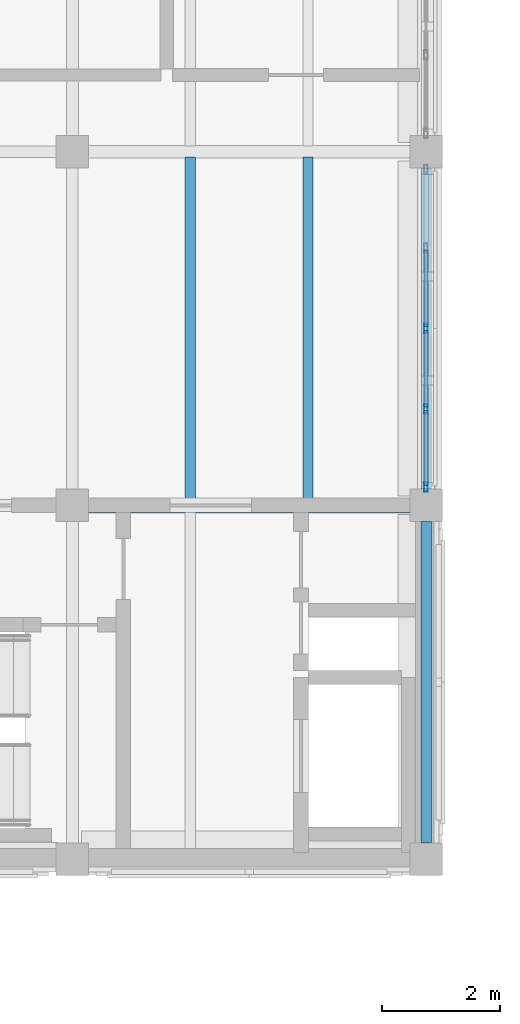
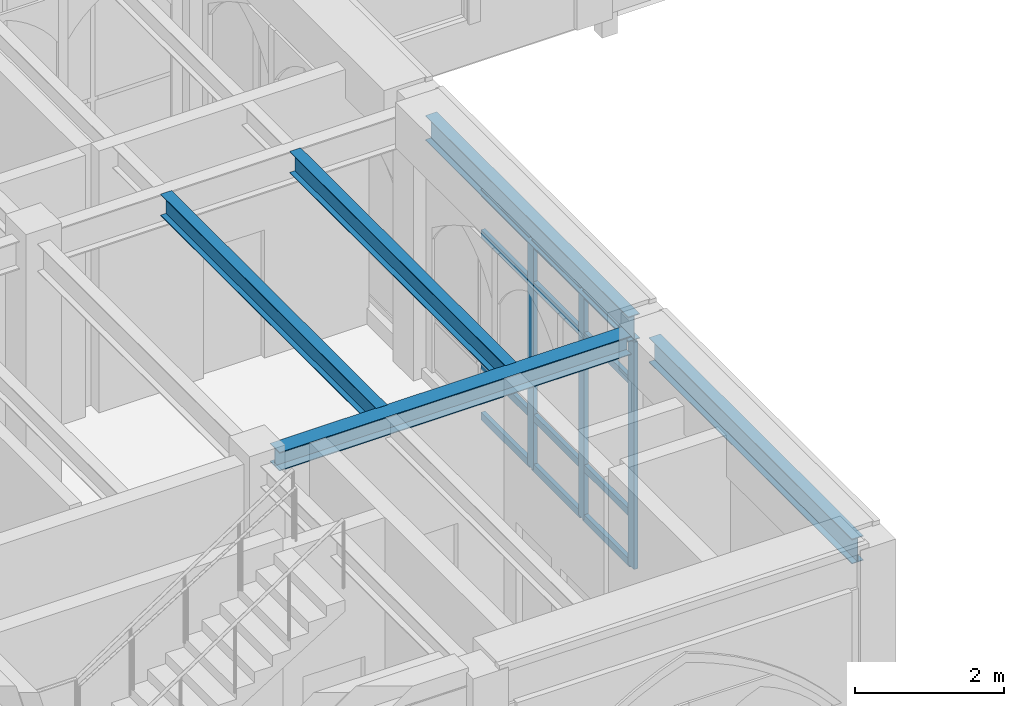
# One storey, part 9 of 108: 15 members, 5 beams, 1 element without a shape of its own.
"""IFC4 building model written with IfcOpenShell, lengths in metres."""

from ifc_helpers import new_model, si_unit, direction, frame, origin, origin_2d, place, context, subcontext, project, spatial, hollow_rectangle, i_section, extrude, material, layer, layer_set, material_profile, profile_set, type_object, element, aggregate, save


model = new_model("IFC4")

# Units and contexts
model_context = context("Model", 3, precision=1e-05, world=origin(), true_north=direction((0.0, 1.0)))
body_context = subcontext(model_context, "Body", "Model", "MODEL_VIEW")
ifc_project = project(units=[si_unit("LENGTHUNIT", "METRE"), si_unit("AREAUNIT", "SQUARE_METRE"), si_unit("VOLUMEUNIT", "CUBIC_METRE"), si_unit("PLANEANGLEUNIT", "RADIAN"), si_unit("MASSUNIT", "GRAM", prefix="KILO")], contexts=[model_context])

# Site, building, storey
site_placement = place(None, origin())
site = spatial("IfcSite", under=ifc_project, at=site_placement, CompositionType="ELEMENT")
building_placement = place(site_placement, origin())
building = spatial("IfcBuilding", under=site, at=building_placement, Name="Cumevento Cable Car Station", CompositionType="ELEMENT")
storey_placement = place(building_placement, frame((0.0, 0.0, 13.5)))
storey = spatial("IfcBuildingStorey", under=building, at=storey_placement, Name="L04", CompositionType="ELEMENT", Elevation=13.5)

# Curtain wall, members
ifc_material_1 = material(Name="Anodised Bronze Aluminium AW-6063-T6", Category="aluminium")
ifc_layer = layer(ifc_material_1, 0.2080078125)
ifc_layer_set = layer_set([ifc_layer], Name="Anodised Bronze Aluminium AW-6063-T6")
curtain_wall_type = type_object("IfcCurtainWallType", Name="Lancet Curtain Wall CW-09 1370", PredefinedType="NOTDEFINED", material=ifc_layer_set)
curtain_wall_placement = place(storey_placement, origin())
curtain_wall = element("IfcCurtainWall", 1, at=curtain_wall_placement, inside=storey, type_object=curtain_wall_type, Name="Lancet Curtain Wall CW-09 L04 #152", PredefinedType="NOTDEFINED")
ifc_material_2 = material(Name="Anodised Bronze Aluminium AW-6063-T6", Category="aluminium")
ifc_material_profile_1 = material_profile(ifc_material_2, hollow_rectangle(XDim=0.06494140625, YDim=0.159912109375, WallThickness=0.00390625, at=origin_2d()), Name="ALUM65x160x4")
ifc_profile_set_1 = profile_set([ifc_material_profile_1], Name="Anodised Bronze Aluminium AW-6063-T6")
member_type_1 = type_object("IfcMemberType", Name="Curtain Mullion CWM-01 ALUM65x160x4", PredefinedType="MULLION", material=ifc_profile_set_1)
member_1_placement = place(storey_placement, frame((22.0, 36.0, 0.159912109375), z_axis=(0.0, 0.0, 1.0), x_axis=(1.0, 0.0, 0.0)))
member_1 = element("IfcMember", 2, at=member_1_placement, type_object=member_type_1, Name="CW-09 mullion 3", PredefinedType="MULLION", context=body_context, shape_type="SweptSolid", body=[
    extrude(hollow_rectangle(XDim=0.06494140625, YDim=0.159912109375, WallThickness=0.00390625, at=origin_2d()), origin(), (0.0, 0.0, 1.0), 3.72119140625),
])
member_2_placement = place(storey_placement, frame((22.0, 34.637451171875, 0.159912109375), z_axis=(0.0, 0.0, 1.0), x_axis=(1.0, 0.0, 0.0)))
member_2 = element("IfcMember", 3, at=member_2_placement, type_object=member_type_1, Name="CW-09 mullion 4", PredefinedType="MULLION", context=body_context, shape_type="SweptSolid", body=[
    extrude(hollow_rectangle(XDim=0.06494140625, YDim=0.159912109375, WallThickness=0.00390625, at=origin_2d()), origin(), (0.0, 0.0, 1.0), 3.72119140625),
])
member_3_placement = place(storey_placement, frame((22.0, 33.3076171875, 0.159912109375), z_axis=(0.0, 0.0, 1.0), x_axis=(1.0, 0.0, 0.0)))
member_3 = element("IfcMember", 4, at=member_3_placement, type_object=member_type_1, Name="CW-09 mullion 5", PredefinedType="MULLION", context=body_context, shape_type="SweptSolid", body=[
    extrude(hollow_rectangle(XDim=0.06494140625, YDim=0.159912109375, WallThickness=0.00390625, at=origin_2d()), origin(), (0.0, 0.0, 1.0), 3.72119140625),
])
ifc_material_3 = material(Name="Anodised Bronze Aluminium AW-6063-T6", Category="aluminium")
ifc_material_profile_2 = material_profile(ifc_material_3, hollow_rectangle(XDim=0.06494140625, YDim=0.1201171875, WallThickness=0.00390625, at=origin_2d()), Name="ALUT65x120x4")
ifc_profile_set_2 = profile_set([ifc_material_profile_2], Name="Anodised Bronze Aluminium AW-6063-T6")
member_type_2 = type_object("IfcMemberType", Name="Curtain Transom CWT-01 ALUT65x120x4", PredefinedType="USERDEFINED", material=ifc_profile_set_2)
member_4_placement = place(storey_placement, frame((22.0, 37.330078125, 0.1923828125), z_axis=(0.0, -1.0, 0.0), x_axis=(1.0, 0.0, 0.0)))
member_4 = element("IfcMember", 5, at=member_4_placement, type_object=member_type_2, Name="CW-09 transom 2.1", ObjectType="TRANSOM", PredefinedType="USERDEFINED", context=body_context, shape_type="SweptSolid", body=[
    extrude(hollow_rectangle(XDim=0.06494140625, YDim=0.1201171875, WallThickness=0.00390625, at=origin_2d()), origin(), (0.0, 0.0, 1.0), 1.297607421875),
])
member_5_placement = place(storey_placement, frame((22.0, 37.330078125, 1.010009765625), z_axis=(0.0, -1.0, 0.0), x_axis=(1.0, 0.0, 0.0)))
member_5 = element("IfcMember", 6, at=member_5_placement, type_object=member_type_2, Name="CW-09 transom 2.2", ObjectType="TRANSOM", PredefinedType="USERDEFINED", context=body_context, shape_type="SweptSolid", body=[
    extrude(hollow_rectangle(XDim=0.06494140625, YDim=0.1201171875, WallThickness=0.00390625, at=origin_2d()), origin(), (0.0, 0.0, 1.0), 1.297607421875),
])
member_6_placement = place(storey_placement, frame((22.0, 37.330078125, 3.180908203125), z_axis=(0.0, -1.0, 0.0), x_axis=(1.0, 0.0, 0.0)))
member_6 = element("IfcMember", 7, at=member_6_placement, type_object=member_type_2, Name="CW-09 transom 2.3", ObjectType="TRANSOM", PredefinedType="USERDEFINED", context=body_context, shape_type="SweptSolid", body=[
    extrude(hollow_rectangle(XDim=0.06494140625, YDim=0.1201171875, WallThickness=0.00390625, at=origin_2d()), origin(), (0.0, 0.0, 1.0), 1.297607421875),
])
member_7_placement = place(storey_placement, frame((22.0, 37.330078125, 3.848388671875), z_axis=(0.0, -1.0, 0.0), x_axis=(1.0, 0.0, 0.0)))
member_7 = element("IfcMember", 8, at=member_7_placement, type_object=member_type_2, Name="CW-09 transom 2.4", ObjectType="TRANSOM", PredefinedType="USERDEFINED", context=body_context, shape_type="SweptSolid", body=[
    extrude(hollow_rectangle(XDim=0.06494140625, YDim=0.1201171875, WallThickness=0.00390625, at=origin_2d()), origin(), (0.0, 0.0, 1.0), 1.297607421875),
])
member_8_placement = place(storey_placement, frame((22.0, 35.967529296875, 0.1923828125), z_axis=(0.0, -1.0, 0.0), x_axis=(1.0, 0.0, 0.0)))
member_8 = element("IfcMember", 9, at=member_8_placement, type_object=member_type_2, Name="CW-09 transom 3.1", ObjectType="TRANSOM", PredefinedType="USERDEFINED", context=body_context, shape_type="SweptSolid", body=[
    extrude(hollow_rectangle(XDim=0.06494140625, YDim=0.1201171875, WallThickness=0.00390625, at=origin_2d()), origin(), (0.0, 0.0, 1.0), 1.297607421875),
])
member_9_placement = place(storey_placement, frame((22.0, 35.967529296875, 1.010009765625), z_axis=(0.0, -1.0, 0.0), x_axis=(1.0, 0.0, 0.0)))
member_9 = element("IfcMember", 10, at=member_9_placement, type_object=member_type_2, Name="CW-09 transom 3.2", ObjectType="TRANSOM", PredefinedType="USERDEFINED", context=body_context, shape_type="SweptSolid", body=[
    extrude(hollow_rectangle(XDim=0.06494140625, YDim=0.1201171875, WallThickness=0.00390625, at=origin_2d()), origin(), (0.0, 0.0, 1.0), 1.297607421875),
])
member_10_placement = place(storey_placement, frame((22.0, 35.967529296875, 3.180908203125), z_axis=(0.0, -1.0, 0.0), x_axis=(1.0, 0.0, 0.0)))
member_10 = element("IfcMember", 11, at=member_10_placement, type_object=member_type_2, Name="CW-09 transom 3.3", ObjectType="TRANSOM", PredefinedType="USERDEFINED", context=body_context, shape_type="SweptSolid", body=[
    extrude(hollow_rectangle(XDim=0.06494140625, YDim=0.1201171875, WallThickness=0.00390625, at=origin_2d()), origin(), (0.0, 0.0, 1.0), 1.297607421875),
])
member_11_placement = place(storey_placement, frame((22.0, 35.967529296875, 3.848388671875), z_axis=(0.0, -1.0, 0.0), x_axis=(1.0, 0.0, 0.0)))
member_11 = element("IfcMember", 12, at=member_11_placement, type_object=member_type_2, Name="CW-09 transom 3.4", ObjectType="TRANSOM", PredefinedType="USERDEFINED", context=body_context, shape_type="SweptSolid", body=[
    extrude(hollow_rectangle(XDim=0.06494140625, YDim=0.1201171875, WallThickness=0.00390625, at=origin_2d()), origin(), (0.0, 0.0, 1.0), 1.297607421875),
])
member_12_placement = place(storey_placement, frame((22.0, 34.60498046875, 0.1923828125), z_axis=(0.0, -1.0, 0.0), x_axis=(1.0, 0.0, 0.0)))
member_12 = element("IfcMember", 13, at=member_12_placement, type_object=member_type_2, Name="CW-09 transom 4.1", ObjectType="TRANSOM", PredefinedType="USERDEFINED", context=body_context, shape_type="SweptSolid", body=[
    extrude(hollow_rectangle(XDim=0.06494140625, YDim=0.1201171875, WallThickness=0.00390625, at=origin_2d()), origin(), (0.0, 0.0, 1.0), 1.264892578125),
])
member_13_placement = place(storey_placement, frame((22.0, 34.60498046875, 1.010009765625), z_axis=(0.0, -1.0, 0.0), x_axis=(1.0, 0.0, 0.0)))
member_13 = element("IfcMember", 14, at=member_13_placement, type_object=member_type_2, Name="CW-09 transom 4.2", ObjectType="TRANSOM", PredefinedType="USERDEFINED", context=body_context, shape_type="SweptSolid", body=[
    extrude(hollow_rectangle(XDim=0.06494140625, YDim=0.1201171875, WallThickness=0.00390625, at=origin_2d()), origin(), (0.0, 0.0, 1.0), 1.264892578125),
])
member_14_placement = place(storey_placement, frame((22.0, 34.60498046875, 3.180908203125), z_axis=(0.0, -1.0, 0.0), x_axis=(1.0, 0.0, 0.0)))
member_14 = element("IfcMember", 15, at=member_14_placement, type_object=member_type_2, Name="CW-09 transom 4.3", ObjectType="TRANSOM", PredefinedType="USERDEFINED", context=body_context, shape_type="SweptSolid", body=[
    extrude(hollow_rectangle(XDim=0.06494140625, YDim=0.1201171875, WallThickness=0.00390625, at=origin_2d()), origin(), (0.0, 0.0, 1.0), 1.264892578125),
])
member_15_placement = place(storey_placement, frame((22.0, 34.60498046875, 3.848388671875), z_axis=(0.0, -1.0, 0.0), x_axis=(1.0, 0.0, 0.0)))
member_15 = element("IfcMember", 16, at=member_15_placement, type_object=member_type_2, Name="CW-09 transom 4.4", ObjectType="TRANSOM", PredefinedType="USERDEFINED", context=body_context, shape_type="SweptSolid", body=[
    extrude(hollow_rectangle(XDim=0.06494140625, YDim=0.1201171875, WallThickness=0.00390625, at=origin_2d()), origin(), (0.0, 0.0, 1.0), 1.264892578125),
])
aggregate(curtain_wall, [member_1, member_2, member_3, member_4, member_5, member_6, member_7, member_8, member_9, member_10, member_11, member_12, member_13, member_14, member_15])

# Beams
ifc_material_4 = material(Name="Steel ASTM A572 Grade 50", Category="steel")
ifc_material_profile_3 = material_profile(ifc_material_4, i_section(OverallWidth=0.25390625, OverallDepth=0.305908203125, WebThickness=0.0087890625, FlangeThickness=0.0146484375, at=origin_2d()), Name="W310x79.0")
ifc_profile_set_3 = profile_set([ifc_material_profile_3], Name="Steel ASTM A572 Grade 50")
beam_type_1 = type_object("IfcBeamType", Name="Structural Beam BM-06 W310x79.0", PredefinedType="BEAM", material=ifc_profile_set_3)
beam_placement = place(storey_placement, frame((16.27490234375, 33.0, 4.135009765625), z_axis=(1.0, 0.0, 0.0), x_axis=(0.0, 1.0, 0.0)))
element("IfcBeam", 17, at=beam_placement, inside=storey, type_object=beam_type_1, Name="Beam BM-06 L04 #1363", PredefinedType="BEAM", context=body_context, shape_type="SweptSolid", body=[
    extrude(i_section(OverallWidth=0.25390625, OverallDepth=0.305908203125, WebThickness=0.0087890625, FlangeThickness=0.0146484375, at=origin_2d()), origin(), (0.0, 0.0, 1.0), 5.4501953125),
])
ifc_material_5 = material(Name="Steel ASTM A572 Grade 50", Category="steel")
ifc_material_profile_4 = material_profile(ifc_material_5, i_section(OverallWidth=0.1708984375, OverallDepth=0.35498046875, WebThickness=0.007080078125, FlangeThickness=0.01171875, at=origin_2d()), Name="W360x51.0")
ifc_profile_set_4 = profile_set([ifc_material_profile_4], Name="Steel ASTM A572 Grade 50")
beam_type_2 = type_object("IfcBeamType", Name="Structural Joist JS-01 W360x51.0", PredefinedType="JOIST", material=ifc_profile_set_4)
for number, where, z_axis, x_axis, name in (
    (18, (18.0, 33.114990234375, 4.110595703125), (0.0, 1.0, 0.0), (-1.0, 0.0, 0.0), "Composite Floor Joist JS-01 L04 #1509"),
    (19, (20.0, 33.114990234375, 4.110595703125), (0.0, 1.0, 0.0), (-1.0, 0.0, 0.0), "Composite Floor Joist JS-01 L04 #1511"),
):
    element("IfcBeam", number, at=place(storey_placement, frame(where, z_axis=z_axis, x_axis=x_axis)), inside=storey, type_object=beam_type_2, Name=name, PredefinedType="JOIST", context=body_context, shape_type="SweptSolid", body=[
        extrude(i_section(OverallWidth=0.1708984375, OverallDepth=0.35498046875, WebThickness=0.007080078125, FlangeThickness=0.01171875, at=origin_2d()), origin(), (0.0, 0.0, 1.0), 5.79150390625),
    ])
ifc_material_6 = material(Name="Steel ASTM A572 Grade 50", Category="steel")
ifc_material_profile_5 = material_profile(ifc_material_6, i_section(OverallWidth=0.177978515625, OverallDepth=0.406982421875, WebThickness=0.0078125, FlangeThickness=0.0126953125, at=origin_2d()), Name="W410x60.0")
ifc_profile_set_5 = profile_set([ifc_material_profile_5], Name="Steel ASTM A572 Grade 50")
beam_type_3 = type_object("IfcBeamType", Name="Structural Spandrel SP-01 W410x60.0", PredefinedType="SPANDREL", material=ifc_profile_set_5)
for number, where, z_axis, x_axis, name in (
    (20, (22.0, 27.27490234375, 4.08447265625), (0.0, 1.0, 0.0), (-1.0, 0.0, 0.0), "Beam SP-01 L04 #1366"),
    (21, (22.0, 33.27490234375, 4.08447265625), (0.0, 1.0, 0.0), (-1.0, 0.0, 0.0), "Beam SP-01 L04 #1375"),
):
    element("IfcBeam", number, at=place(storey_placement, frame(where, z_axis=z_axis, x_axis=x_axis)), inside=storey, type_object=beam_type_3, Name=name, PredefinedType="SPANDREL", context=body_context, shape_type="SweptSolid", body=[
        extrude(i_section(OverallWidth=0.177978515625, OverallDepth=0.406982421875, WebThickness=0.0078125, FlangeThickness=0.0126953125, at=origin_2d()), origin(), (0.0, 0.0, 1.0), 5.4501953125),
    ])

save(model, "model.ifc")
